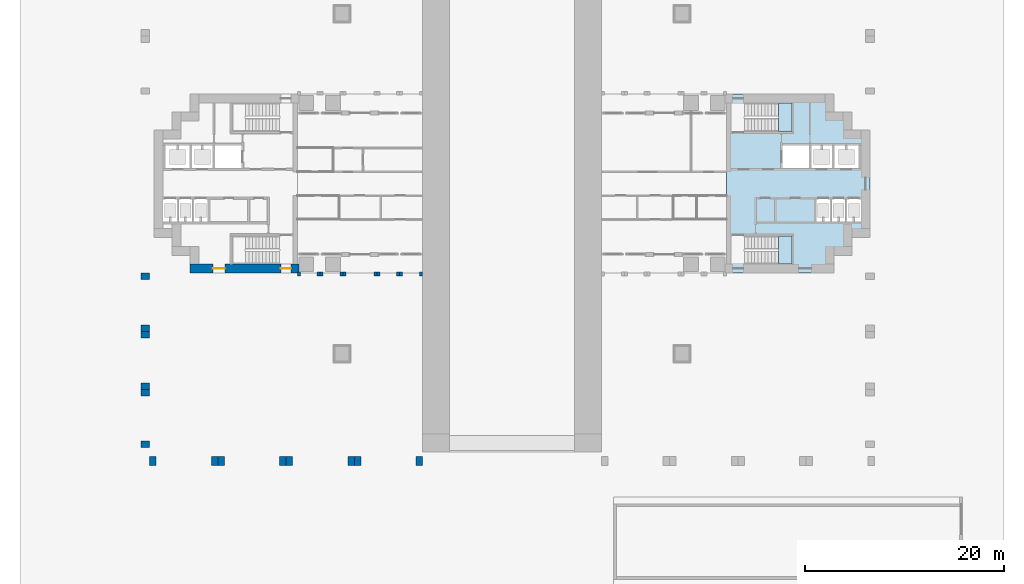
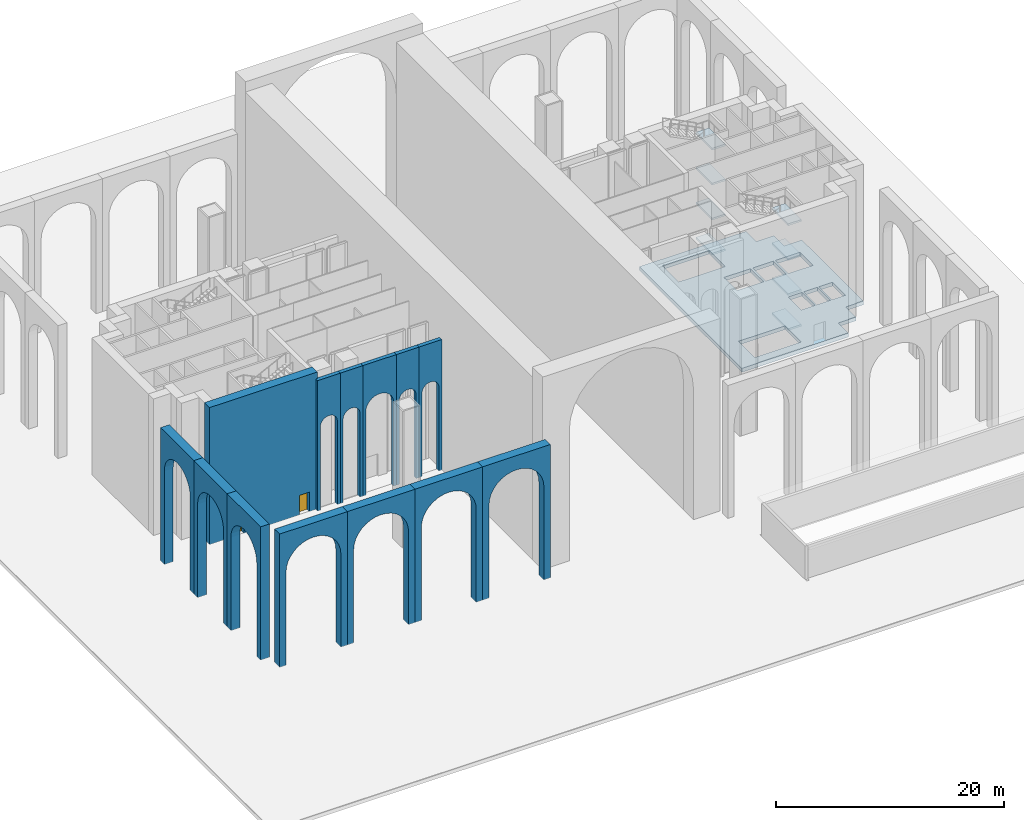
# One storey, part 4 of 18: 13 walls, 9 slabs, 2 doors, 2 openings, 2 elements without a shape of their own.
"""IFC4 building model written with IfcOpenShell, lengths in metres."""

from ifc_helpers import new_model, si_unit, direction, frame, frame_2d, origin, place, context, subcontext, project, spatial, polyline, rectangle, outline, extrude, material, layer, layer_set, type_object, element, fill, aggregate, save


model = new_model("IFC4")

# Units and contexts
model_context = context("Model", 3, precision=1e-05, world=origin(), true_north=direction((0.0, 1.0)))
body_context = subcontext(model_context, "Body", "Model", "MODEL_VIEW")
ifc_project = project(units=[si_unit("LENGTHUNIT", "METRE"), si_unit("AREAUNIT", "SQUARE_METRE"), si_unit("VOLUMEUNIT", "CUBIC_METRE"), si_unit("PLANEANGLEUNIT", "RADIAN"), si_unit("MASSUNIT", "GRAM", prefix="KILO")], contexts=[model_context])

# Site, building, storey
site_placement = place(None, origin())
site = spatial("IfcSite", under=ifc_project, at=site_placement, CompositionType="ELEMENT")
building_placement = place(site_placement, origin())
building = spatial("IfcBuilding", under=site, at=building_placement, Name="Perihelion Cross Residences", CompositionType="ELEMENT")
storey_placement = place(building_placement, origin())
storey = spatial("IfcBuildingStorey", under=building, at=storey_placement, Name="L00", CompositionType="ELEMENT", Elevation=0.0)

# Slab
ifc_material_1 = material(Name="Concrete C40/50", Category="concrete")
ifc_layer_1 = layer(ifc_material_1, 0.39990234375)
ifc_layer_set_1 = layer_set([ifc_layer_1], Name="Core floor slab 400")
slab_type_1 = type_object("IfcSlabType", Name="Core floor slab 400", PredefinedType="FLOOR", material=ifc_layer_set_1)
slab_1_placement = place(storey_placement, frame((0.0, 0.0, -0.39990234375)))
element("IfcSlab", 1, at=slab_1_placement, inside=storey, type_object=slab_type_1, Name="East core floor slab", PredefinedType="FLOOR", context=body_context, shape_type="SweptSolid", body=[
    extrude(outline(polyline([(32.39990234375, 7.199951171875), (34.199951171875, 7.199951171875), (34.199951171875, 5.39990234375), (36.0, 5.39990234375), (36.0, -5.39990234375), (34.199951171875, -5.39990234375), (34.199951171875, -7.199951171875), (32.39990234375, -7.199951171875), (32.39990234375, -9.0), (21.60009765625, -9.0), (21.60009765625, 9.0), (32.39990234375, 9.0), (32.39990234375, 7.199951171875)]), holes=[polyline([(23.405029296875, -8.10009765625), (28.14990234375, -8.10009765625), (28.14990234375, -5.25), (23.405029296875, -5.25), (23.405029296875, -8.10009765625)]), polyline([(30.60009765625, -1.550048828125), (30.60009765625, -3.85009765625), (32.0, -3.85009765625), (32.0, -1.550048828125), (30.60009765625, -1.550048828125)]), polyline([(32.14990234375, -1.550048828125), (32.14990234375, -3.85009765625), (33.550048828125, -3.85009765625), (33.550048828125, -1.550048828125), (32.14990234375, -1.550048828125)]), polyline([(33.699951171875, -1.550048828125), (33.699951171875, -3.85009765625), (35.10009765625, -3.85009765625), (35.10009765625, -1.550048828125), (33.699951171875, -1.550048828125)]), polyline([(27.199951171875, 3.85009765625), (27.199951171875, 1.550048828125), (29.89990234375, 1.550048828125), (29.89990234375, 3.85009765625), (27.199951171875, 3.85009765625)]), polyline([(30.10009765625, 3.85009765625), (30.10009765625, 1.550048828125), (32.199951171875, 1.550048828125), (32.199951171875, 3.85009765625), (30.10009765625, 3.85009765625)]), polyline([(32.39990234375, 3.85009765625), (32.39990234375, 1.550048828125), (34.89990234375, 1.550048828125), (34.89990234375, 3.85009765625), (32.39990234375, 3.85009765625)]), polyline([(23.405029296875, 5.25), (28.14990234375, 5.25), (28.14990234375, 8.10009765625), (23.405029296875, 8.10009765625), (23.405029296875, 5.25)])]), origin(), (0.0, 0.0, 1.0), 0.39990234375),
])

# Stair, slabs
ifc_material_2 = material(Name="Concrete C40/50", Category="concrete")
stair_type = type_object("IfcStairType", Name="Exit stair, half-turn", PredefinedType="HALF_TURN_STAIR", material=ifc_material_2)
stair_1_placement = place(storey_placement, origin())
stair_1 = element("IfcStair", 2, at=stair_1_placement, inside=storey, type_object=stair_type, Name="L00 East core exit stair 1", PredefinedType="HALF_TURN_STAIR")
ifc_material_3 = material(Name="Concrete C40/50", Category="concrete")
ifc_layer_2 = layer(ifc_material_3, 0.199951171875)
ifc_layer_set_2 = layer_set([ifc_layer_2], Name="Exit stair landing 200")
slab_type_2 = type_object("IfcSlabType", Name="Exit stair landing 200", PredefinedType="LANDING", material=ifc_layer_set_2)
slab_2_placement = place(storey_placement, frame((0.0, 0.0, 1.675048828125)))
slab_2 = element("IfcSlab", 3, at=slab_2_placement, type_object=slab_type_2, Name="ST-E1 landing 1", PredefinedType="LANDING", context=body_context, shape_type="SweptSolid", body=[
    extrude(outline(polyline([(26.800048828125, 5.25), (28.14990234375, 5.25), (28.14990234375, 8.10009765625), (26.800048828125, 8.10009765625), (26.800048828125, 5.25)])), origin(), (0.0, 0.0, 1.0), 0.199951171875),
])
slab_3_placement = place(storey_placement, frame((0.0, 0.0, 5.425048828125)))
slab_3 = element("IfcSlab", 4, at=slab_3_placement, type_object=slab_type_2, Name="ST-E1 landing 3", PredefinedType="LANDING", context=body_context, shape_type="SweptSolid", body=[
    extrude(outline(polyline([(26.800048828125, 5.25), (28.14990234375, 5.25), (28.14990234375, 8.10009765625), (26.800048828125, 8.10009765625), (26.800048828125, 5.25)])), origin(), (0.0, 0.0, 1.0), 0.199951171875),
])
slab_4_placement = place(storey_placement, frame((0.0, 0.0, 9.175048828125)))
slab_4 = element("IfcSlab", 5, at=slab_4_placement, type_object=slab_type_2, Name="ST-E1 landing 5", PredefinedType="LANDING", context=body_context, shape_type="SweptSolid", body=[
    extrude(outline(polyline([(26.800048828125, 5.25), (28.14990234375, 5.25), (28.14990234375, 8.10009765625), (26.800048828125, 8.10009765625), (26.800048828125, 5.25)])), origin(), (0.0, 0.0, 1.0), 0.199951171875),
])
slab_5_placement = place(storey_placement, frame((0.0, 0.0, 12.925048828125)))
slab_5 = element("IfcSlab", 6, at=slab_5_placement, type_object=slab_type_2, Name="ST-E1 landing 7", PredefinedType="LANDING", context=body_context, shape_type="SweptSolid", body=[
    extrude(outline(polyline([(26.800048828125, 5.25), (28.14990234375, 5.25), (28.14990234375, 8.10009765625), (26.800048828125, 8.10009765625), (26.800048828125, 5.25)])), origin(), (0.0, 0.0, 1.0), 0.199951171875),
])
aggregate(stair_1, [slab_2, slab_3, slab_4, slab_5])

stair_2_placement = place(storey_placement, origin())
stair_2 = element("IfcStair", 7, at=stair_2_placement, inside=storey, type_object=stair_type, Name="L00 East core exit stair 2", PredefinedType="HALF_TURN_STAIR")
slab_6_placement = place(storey_placement, frame((0.0, 0.0, 1.675048828125)))
slab_6 = element("IfcSlab", 8, at=slab_6_placement, type_object=slab_type_2, Name="ST-E2 landing 1", PredefinedType="LANDING", context=body_context, shape_type="SweptSolid", body=[
    extrude(outline(polyline([(26.800048828125, -8.10009765625), (28.14990234375, -8.10009765625), (28.14990234375, -5.25), (26.800048828125, -5.25), (26.800048828125, -8.10009765625)])), origin(), (0.0, 0.0, 1.0), 0.199951171875),
])
slab_7_placement = place(storey_placement, frame((0.0, 0.0, 5.425048828125)))
slab_7 = element("IfcSlab", 9, at=slab_7_placement, type_object=slab_type_2, Name="ST-E2 landing 3", PredefinedType="LANDING", context=body_context, shape_type="SweptSolid", body=[
    extrude(outline(polyline([(26.800048828125, -8.10009765625), (28.14990234375, -8.10009765625), (28.14990234375, -5.25), (26.800048828125, -5.25), (26.800048828125, -8.10009765625)])), origin(), (0.0, 0.0, 1.0), 0.199951171875),
])
slab_8_placement = place(storey_placement, frame((0.0, 0.0, 9.175048828125)))
slab_8 = element("IfcSlab", 10, at=slab_8_placement, type_object=slab_type_2, Name="ST-E2 landing 5", PredefinedType="LANDING", context=body_context, shape_type="SweptSolid", body=[
    extrude(outline(polyline([(26.800048828125, -8.10009765625), (28.14990234375, -8.10009765625), (28.14990234375, -5.25), (26.800048828125, -5.25), (26.800048828125, -8.10009765625)])), origin(), (0.0, 0.0, 1.0), 0.199951171875),
])
slab_9_placement = place(storey_placement, frame((0.0, 0.0, 12.925048828125)))
slab_9 = element("IfcSlab", 11, at=slab_9_placement, type_object=slab_type_2, Name="ST-E2 landing 7", PredefinedType="LANDING", context=body_context, shape_type="SweptSolid", body=[
    extrude(outline(polyline([(26.800048828125, -8.10009765625), (28.14990234375, -8.10009765625), (28.14990234375, -5.25), (26.800048828125, -5.25), (26.800048828125, -8.10009765625)])), origin(), (0.0, 0.0, 1.0), 0.199951171875),
])
aggregate(stair_2, [slab_6, slab_7, slab_8, slab_9])

# Walls
ifc_material_4 = material(Name="Concrete C40/50, bronze-clad", Category="concrete")
ifc_layer_3 = layer(ifc_material_4, 0.39990234375)
ifc_layer_set_3 = layer_set([ifc_layer_3], Name="Arcade wall 400, arched bay")
wall_type_1 = type_object("IfcWallType", Name="Arcade wall 400, arched bay", PredefinedType="SOLIDWALL", material=ifc_layer_set_3)
for number, where, z_axis, x_axis, name in (
    (12, (-21.60009765625, -8.89990234375, 0.0), (0.0, -1.0, 0.0), (1.0, 0.0, 0.0), "Wall AR1 L00 arcade west bay 1 no. 2"),
    (13, (-19.300048828125, -8.89990234375, 0.0), (0.0, -1.0, 0.0), (1.0, 0.0, 0.0), "Wall AR1 L00 arcade west bay 2 no. 2"),
):
    element("IfcWall", number, at=place(storey_placement, frame(where, z_axis=z_axis, x_axis=x_axis)), inside=storey, type_object=wall_type_1, Name=name, PredefinedType="SOLIDWALL", context=body_context, shape_type="SweptSolid", body=[
        extrude(outline(polyline([(0.0, 0.0), (0.300048828125, 0.0), (0.300048828125, 9.0), (0.31640625, 9.165771484375), (0.36474609375, 9.3251953125), (0.443359375, 9.47216796875), (0.549072265625, 9.60107421875), (0.677734375, 9.706787109375), (0.82470703125, 9.785400390625), (0.984130859375, 9.833740234375), (1.14990234375, 9.85009765625), (1.31591796875, 9.833740234375), (1.475341796875, 9.785400390625), (1.622314453125, 9.706787109375), (1.7509765625, 9.60107421875), (1.856689453125, 9.47216796875), (1.935302734375, 9.3251953125), (1.983642578125, 9.165771484375), (2.0, 9.0), (2.0, 0.0), (2.300048828125, 0.0), (2.300048828125, 14.0), (0.0, 14.0), (0.0, 0.0)])), origin(), (0.0, 0.0, 1.0), 0.400146484375),
    ])
wall_1_placement = place(storey_placement, frame((-17.0, -8.89990234375, 0.0), z_axis=(0.0, -1.0, 0.0), x_axis=(1.0, 0.0, 0.0)))
element("IfcWall", 14, at=wall_1_placement, inside=storey, type_object=wall_type_1, Name="Wall AR1 L00 arcade west bay 3 no. 2", PredefinedType="SOLIDWALL", context=body_context, shape_type="SweptSolid", body=[
    extrude(outline(polyline([(0.0, 0.0), (0.300048828125, 0.0), (0.300048828125, 9.0), (0.326904296875, 9.273193359375), (0.406494140625, 9.53564453125), (0.535888671875, 9.77783203125), (0.7099609375, 9.989990234375), (0.922119140625, 10.1640625), (1.164306640625, 10.29345703125), (1.4267578125, 10.373046875), (1.699951171875, 10.39990234375), (1.97314453125, 10.373046875), (2.23583984375, 10.29345703125), (2.477783203125, 10.1640625), (2.68994140625, 9.989990234375), (2.864013671875, 9.77783203125), (2.993408203125, 9.53564453125), (3.072998046875, 9.273193359375), (3.10009765625, 9.0), (3.10009765625, 0.0), (3.39990234375, 0.0), (3.39990234375, 14.0), (0.0, 14.0), (0.0, 0.0)])), origin(), (0.0, 0.0, 1.0), 0.400146484375),
])
for number, where, z_axis, x_axis, name in (
    (15, (-13.60009765625, -8.89990234375, 0.0), (0.0, -1.0, 0.0), (1.0, 0.0, 0.0), "Wall AR1 L00 arcade west bay 4 no. 2"),
    (16, (-11.300048828125, -8.89990234375, 0.0), (0.0, -1.0, 0.0), (1.0, 0.0, 0.0), "Wall AR1 L00 arcade west bay 5 no. 2"),
):
    element("IfcWall", number, at=place(storey_placement, frame(where, z_axis=z_axis, x_axis=x_axis)), inside=storey, type_object=wall_type_1, Name=name, PredefinedType="SOLIDWALL", context=body_context, shape_type="SweptSolid", body=[
        extrude(outline(polyline([(0.0, 0.0), (0.300048828125, 0.0), (0.300048828125, 9.0), (0.31640625, 9.165771484375), (0.36474609375, 9.3251953125), (0.443359375, 9.47216796875), (0.549072265625, 9.60107421875), (0.677734375, 9.706787109375), (0.82470703125, 9.785400390625), (0.984130859375, 9.833740234375), (1.14990234375, 9.85009765625), (1.31591796875, 9.833740234375), (1.475341796875, 9.785400390625), (1.622314453125, 9.706787109375), (1.7509765625, 9.60107421875), (1.856689453125, 9.47216796875), (1.935302734375, 9.3251953125), (1.983642578125, 9.165771484375), (2.0, 9.0), (2.0, 0.0), (2.300048828125, 0.0), (2.300048828125, 14.0), (0.0, 14.0), (0.0, 0.0)])), origin(), (0.0, 0.0, 1.0), 0.400146484375),
    ])

# Wall, openings, doors
ifc_material_5 = material(Name="Concrete C60/75", Category="concrete")
ifc_layer_4 = layer(ifc_material_5, 0.89990234375)
ifc_layer_set_4 = layer_set([ifc_layer_4], Name="Core wall, outer 900")
wall_type_2 = type_object("IfcWallType", Name="Core wall, outer 900", PredefinedType="SHEAR", material=ifc_layer_set_4)
wall_2_placement = place(storey_placement, frame((-32.39990234375, -8.550048828125, 0.0), z_axis=(0.0, 0.0, 1.0), x_axis=(1.0, 0.0, 0.0)))
wall_2 = element("IfcWall", 17, at=wall_2_placement, inside=storey, type_object=wall_type_2, Name="West core core wall, outer", PredefinedType="SHEAR", context=body_context, shape_type="SweptSolid", body=[
    extrude(rectangle(XDim=10.949951171875, YDim=0.89990234375, at=frame_2d((5.47509765625, 0.0))), origin(), (0.0, 0.0, 1.0), 14.699951171875),
])
opening_1_placement = place(wall_2_placement, frame((9.14990234375, 0.0, 0.0)))
opening_1 = element("IfcOpeningElement", 18, at=opening_1_placement, cuts=wall_2, Name="Opening L00.C26", PredefinedType="OPENING", context=body_context, shape_type="SweptSolid", body=[
    extrude(rectangle(XDim=1.0, YDim=2.10009765625, at=frame_2d((0.5, 1.050048828125))), frame((0.0, 0.4599609375, 0.0), z_axis=(0.0, -1.0, 0.0), x_axis=(1.0, 0.0, 0.0)), (0.0, 0.0, 1.0), 0.919921875),
])
opening_2_placement = place(wall_2_placement, frame((2.300048828125, 0.0, 0.0)))
opening_2 = element("IfcOpeningElement", 19, at=opening_2_placement, cuts=wall_2, Name="Opening L00.C36", PredefinedType="OPENING", context=body_context, shape_type="SweptSolid", body=[
    extrude(rectangle(XDim=1.199951171875, YDim=2.10009765625, at=frame_2d((0.60009765625, 1.050048828125))), frame((0.0, 0.4599609375, 0.0), z_axis=(0.0, -1.0, 0.0), x_axis=(1.0, 0.0, 0.0)), (0.0, 0.0, 1.0), 0.919921875),
])
ifc_material_6 = material(Name="Steel, powder coated", Category="steel")
door_type_1 = type_object("IfcDoorType", Name="Fire command room door 1200", OperationType="DOUBLE_DOOR_SINGLE_SWING", PredefinedType="DOOR", material=ifc_material_6)
door_1_placement = place(opening_2_placement, origin())
door_1 = element("IfcDoor", 20, at=door_1_placement, inside=storey, type_object=door_type_1, Name="West core fire command room door", OperationType="DOUBLE_DOOR_SINGLE_SWING", OverallHeight=2.10009765625, OverallWidth=1.199951171875, PredefinedType="DOOR", context=body_context, shape_type="SweptSolid", body=[
    extrude(rectangle(XDim=1.199951171875, YDim=2.10009765625, at=frame_2d((0.60009765625, 1.050048828125))), frame((0.0, 0.02490234375, 0.0), z_axis=(0.0, -1.0, 0.0), x_axis=(1.0, 0.0, 0.0)), (0.0, 0.0, 1.0), 0.050048828125),
])
fill(opening_2, door_1)
ifc_material_7 = material(Name="Steel, powder coated", Category="steel")
door_type_2 = type_object("IfcDoorType", Name="Stair exit door 1000", OperationType="SINGLE_SWING_LEFT", PredefinedType="DOOR", material=ifc_material_7)
door_2_placement = place(opening_1_placement, origin())
door_2 = element("IfcDoor", 21, at=door_2_placement, inside=storey, type_object=door_type_2, Name="West core stair exit door", OperationType="SINGLE_SWING_LEFT", OverallHeight=2.10009765625, OverallWidth=1.0, PredefinedType="DOOR", context=body_context, shape_type="SweptSolid", body=[
    extrude(rectangle(XDim=1.0, YDim=2.10009765625, at=frame_2d((0.5, 1.050048828125))), frame((0.0, 0.02490234375, 0.0), z_axis=(0.0, -1.0, 0.0), x_axis=(1.0, 0.0, 0.0)), (0.0, 0.0, 1.0), 0.050048828125),
])
fill(opening_1, door_2)

# Walls
ifc_material_8 = material(Name="Concrete C50/60", Category="concrete")
ifc_layer_5 = layer(ifc_material_8, 0.89990234375)
ifc_layer_set_5 = layer_set([ifc_layer_5], Name="Loggia arcade wall 900, arched bay")
wall_type_3 = type_object("IfcWallType", Name="Loggia arcade wall 900, arched bay", PredefinedType="SOLIDWALL", material=ifc_layer_set_5)
for number, where, z_axis, x_axis, name in (
    (22, (-36.449951171875, -27.449951171875, 0.0), (0.0, -1.0, 0.0), (1.0, 0.0, 0.0), "Wall AR3 L00 loggia south-west north-south bay 1"),
    (23, (-29.58740234375, -27.449951171875, 0.0), (0.0, -1.0, 0.0), (1.0, 0.0, 0.0), "Wall AR3 L00 loggia south-west north-south bay 2"),
    (24, (-22.72509765625, -27.449951171875, 0.0), (0.0, -1.0, 0.0), (1.0, 0.0, 0.0), "Wall AR3 L00 loggia south-west north-south bay 3"),
    (25, (-15.862548828125, -27.449951171875, 0.0), (0.0, -1.0, 0.0), (1.0, 0.0, 0.0), "Wall AR3 L00 loggia south-west north-south bay 4"),
):
    element("IfcWall", number, at=place(storey_placement, frame(where, z_axis=z_axis, x_axis=x_axis)), inside=storey, type_object=wall_type_3, Name=name, PredefinedType="SOLIDWALL", context=body_context, shape_type="SweptSolid", body=[
        extrude(outline(polyline([(0.0, 0.0), (0.64990234375, 0.0), (0.64990234375, 10.0), (0.703369140625, 10.54248046875), (0.86181640625, 11.064453125), (1.11865234375, 11.545166015625), (1.464599609375, 11.966552734375), (1.885986328125, 12.3125), (2.366943359375, 12.569580078125), (2.888671875, 12.727783203125), (3.43115234375, 12.78125), (3.973876953125, 12.727783203125), (4.49560546875, 12.569580078125), (4.976318359375, 12.3125), (5.39794921875, 11.966552734375), (5.743896484375, 11.545166015625), (6.000732421875, 11.064453125), (6.1591796875, 10.54248046875), (6.21240234375, 10.0), (6.21240234375, 0.0), (6.862548828125, 0.0), (6.862548828125, 14.300048828125), (0.0, 14.300048828125), (0.0, 0.0)])), origin(), (0.0, 0.0, 1.0), 0.900146484375),
    ])
for number, where, z_axis, x_axis, name in (
    (26, (-36.449951171875, -9.0, 0.0), (-1.0, 0.0, 0.0), (0.0, -1.0, 0.0), "Wall AR3 L00 loggia south-west east-west bay 1"),
    (27, (-36.449951171875, -14.85009765625, 0.0), (-1.0, 0.0, 0.0), (0.0, -1.0, 0.0), "Wall AR3 L00 loggia south-west east-west bay 2"),
    (28, (-36.449951171875, -20.699951171875, 0.0), (-1.0, 0.0, 0.0), (0.0, -1.0, 0.0), "Wall AR3 L00 loggia south-west east-west bay 3"),
):
    element("IfcWall", number, at=place(storey_placement, frame(where, z_axis=z_axis, x_axis=x_axis)), inside=storey, type_object=wall_type_3, Name=name, PredefinedType="SOLIDWALL", context=body_context, shape_type="SweptSolid", body=[
        extrude(outline(polyline([(0.0, 0.0), (0.64990234375, 0.0), (0.64990234375, 10.0), (0.693603515625, 10.44384765625), (0.8232421875, 10.87060546875), (1.033447265625, 11.263916015625), (1.31640625, 11.608642578125), (1.6611328125, 11.8916015625), (2.054443359375, 12.101806640625), (2.481201171875, 12.231201171875), (2.925048828125, 12.27490234375), (3.368896484375, 12.231201171875), (3.795654296875, 12.101806640625), (4.18896484375, 11.8916015625), (4.53369140625, 11.608642578125), (4.816650390625, 11.263916015625), (5.02685546875, 10.87060546875), (5.15625, 10.44384765625), (5.199951171875, 10.0), (5.199951171875, 0.0), (5.85009765625, 0.0), (5.85009765625, 14.300048828125), (0.0, 14.300048828125), (0.0, 0.0)])), origin(), (0.0, 0.0, 1.0), 0.900146484375),
    ])

save(model, "model.ifc")
